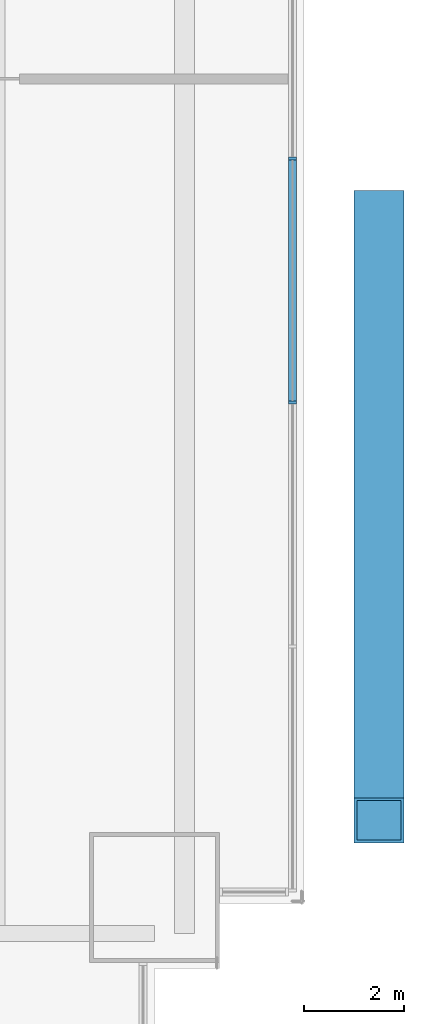
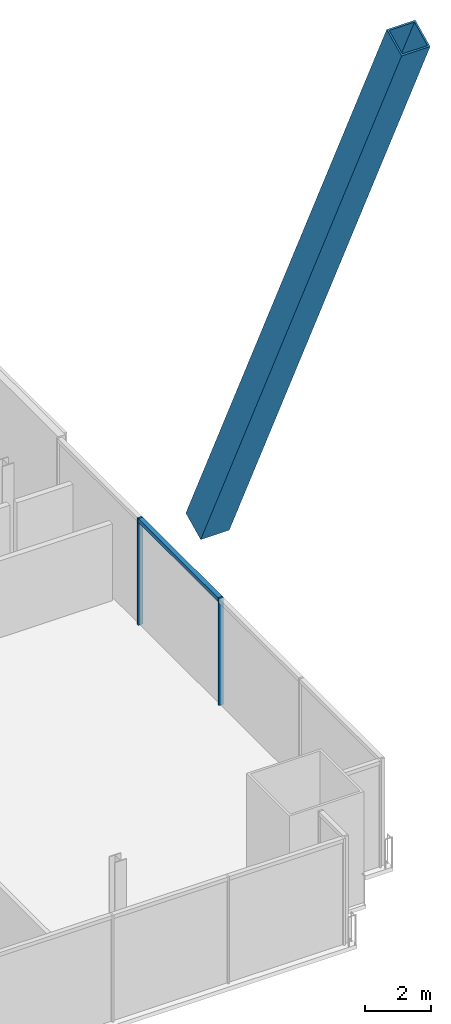
# One storey, part 15 of 24: 4 members, 1 element without a shape of its own.
"""IFC4 building model written with IfcOpenShell, lengths in metres."""

from ifc_helpers import new_model, si_unit, direction, frame, origin, origin_2d, place, context, subcontext, project, spatial, rectangle, hollow_rectangle, extrude, material, material_profile, profile_set, type_object, element, aggregate, save


model = new_model("IFC4")

# Units and contexts
model_context = context("Model", 3, precision=1e-05, world=origin(), true_north=direction((0.0, 1.0)))
body_context = subcontext(model_context, "Body", "Model", "MODEL_VIEW")
ifc_project = project(units=[si_unit("LENGTHUNIT", "METRE"), si_unit("AREAUNIT", "SQUARE_METRE"), si_unit("VOLUMEUNIT", "CUBIC_METRE"), si_unit("PLANEANGLEUNIT", "RADIAN"), si_unit("MASSUNIT", "GRAM", prefix="KILO")], contexts=[model_context])

# Site, building, storey
site_placement = place(None, origin())
site = spatial("IfcSite", under=ifc_project, at=site_placement, CompositionType="ELEMENT")
building_placement = place(site_placement, origin())
building = spatial("IfcBuilding", under=site, at=building_placement, Name="Bicima Exchange Tower", CompositionType="ELEMENT")
storey_placement = place(building_placement, frame((0.0, 0.0, 160.89990234375)))
storey = spatial("IfcBuildingStorey", under=building, at=storey_placement, Name="L35", CompositionType="ELEMENT", Elevation=160.89990234375)

# Curtain wall, members
ifc_material_1 = material(Name="Anodised bronze aluminium", Category="aluminium")
curtain_wall_type = type_object("IfcCurtainWallType", Name="End face glass wall", PredefinedType="NOTDEFINED", material=ifc_material_1)
curtain_wall_placement = place(storey_placement, origin())
curtain_wall = element("IfcCurtainWall", 1, at=curtain_wall_placement, inside=storey, type_object=curtain_wall_type, Name="End face glass wall L35 run 19", PredefinedType="NOTDEFINED")
ifc_material_profile_1 = material_profile(ifc_material_1, rectangle(XDim=0.159912109375, YDim=0.06005859375, at=origin_2d()))
ifc_profile_set_1 = profile_set([ifc_material_profile_1], Name="Anodised bronze aluminium")
member_type_1 = type_object("IfcMemberType", Name="End face glass wall mullion 60 x 160", PredefinedType="MULLION", material=ifc_profile_set_1)
member_1_placement = place(storey_placement, frame((35.77001953125, -21.886962890625, 0.0), z_axis=(0.0, 0.0, 1.0), x_axis=(-1.0, 0.0, 0.0)))
member_1 = element("IfcMember", 2, at=member_1_placement, type_object=member_type_1, Name="End face glass wall mullion 3", PredefinedType="MULLION", context=body_context, shape_type="SweptSolid", body=[
    extrude(rectangle(XDim=0.159912109375, YDim=0.06005859375, at=origin_2d()), origin(), (0.0, 0.0, 1.0), 3.9501953125),
])
member_2_placement = place(storey_placement, frame((35.77001953125, -16.99853515625, 0.0), z_axis=(0.0, 0.0, 1.0), x_axis=(-1.0, 0.0, 0.0)))
member_2 = element("IfcMember", 3, at=member_2_placement, type_object=member_type_1, Name="End face glass wall mullion 4", PredefinedType="MULLION", context=body_context, shape_type="SweptSolid", body=[
    extrude(rectangle(XDim=0.159912109375, YDim=0.06005859375, at=origin_2d()), origin(), (0.0, 0.0, 1.0), 3.9501953125),
])
ifc_material_profile_2 = material_profile(ifc_material_1, rectangle(XDim=0.159912109375, YDim=0.139892578125, at=origin_2d()))
ifc_profile_set_2 = profile_set([ifc_material_profile_2], Name="Anodised bronze aluminium")
member_type_2 = type_object("IfcMemberType", Name="End face glass wall transom 140 x 160", PredefinedType="USERDEFINED", material=ifc_profile_set_2)
member_3_placement = place(storey_placement, frame((35.77001953125, -21.85693359375, 3.880126953125), z_axis=(0.0, 1.0, 0.0), x_axis=(-1.0, 0.0, 0.0)))
member_3 = element("IfcMember", 4, at=member_3_placement, type_object=member_type_2, Name="End face glass wall transom 3.1", ObjectType="TRANSOM", PredefinedType="USERDEFINED", context=body_context, shape_type="SweptSolid", body=[
    extrude(rectangle(XDim=0.159912109375, YDim=0.139892578125, at=origin_2d()), origin(), (0.0, 0.0, 1.0), 4.828369140625),
])
aggregate(curtain_wall, [member_1, member_2, member_3])

# Member
ifc_material_2 = material(Name="Steel ASTM A572 Gr 50", Category="steel")
ifc_material_profile_3 = material_profile(ifc_material_2, hollow_rectangle(XDim=1.0, YDim=1.0, WallThickness=0.06005859375, at=origin_2d()))
ifc_profile_set_3 = profile_set([ifc_material_profile_3], Name="Steel ASTM A572 Gr 50")
member_type_3 = type_object("IfcMemberType", Name="Exo mega brace BOX 1000x1000x60", PredefinedType="BRACE", material=ifc_profile_set_3)
member_4_placement = place(storey_placement, frame((37.5, -18.09228515625, 3.85009765625), z_axis=(0.0, -0.434015442314, 0.900905431126), x_axis=(1.0, 0.0, 0.0)))
element("IfcMember", 5, at=member_4_placement, inside=storey, type_object=member_type_3, Name="Exo mega brace end", PredefinedType="BRACE", context=body_context, shape_type="SweptSolid", body=[
    extrude(hollow_rectangle(XDim=1.0, YDim=1.0, WallThickness=0.06005859375, at=origin_2d()), origin(), (0.0, 0.0, 1.0), 28.02734375),
])

save(model, "model.ifc")
